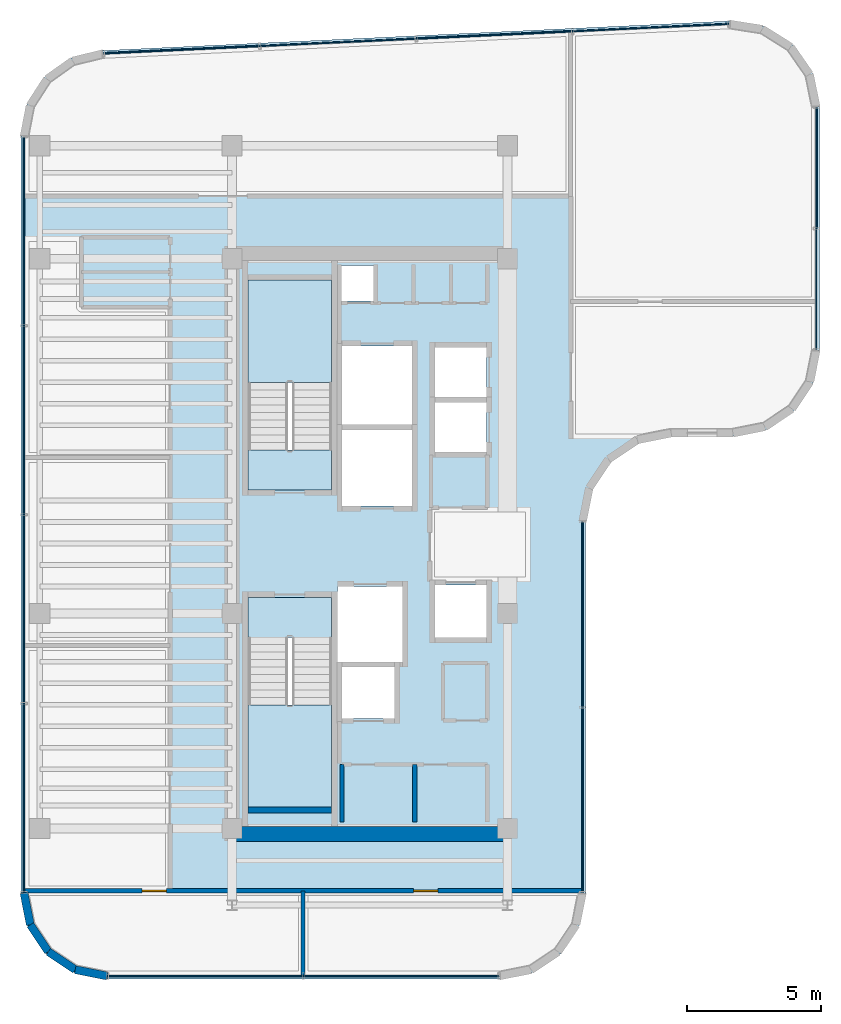
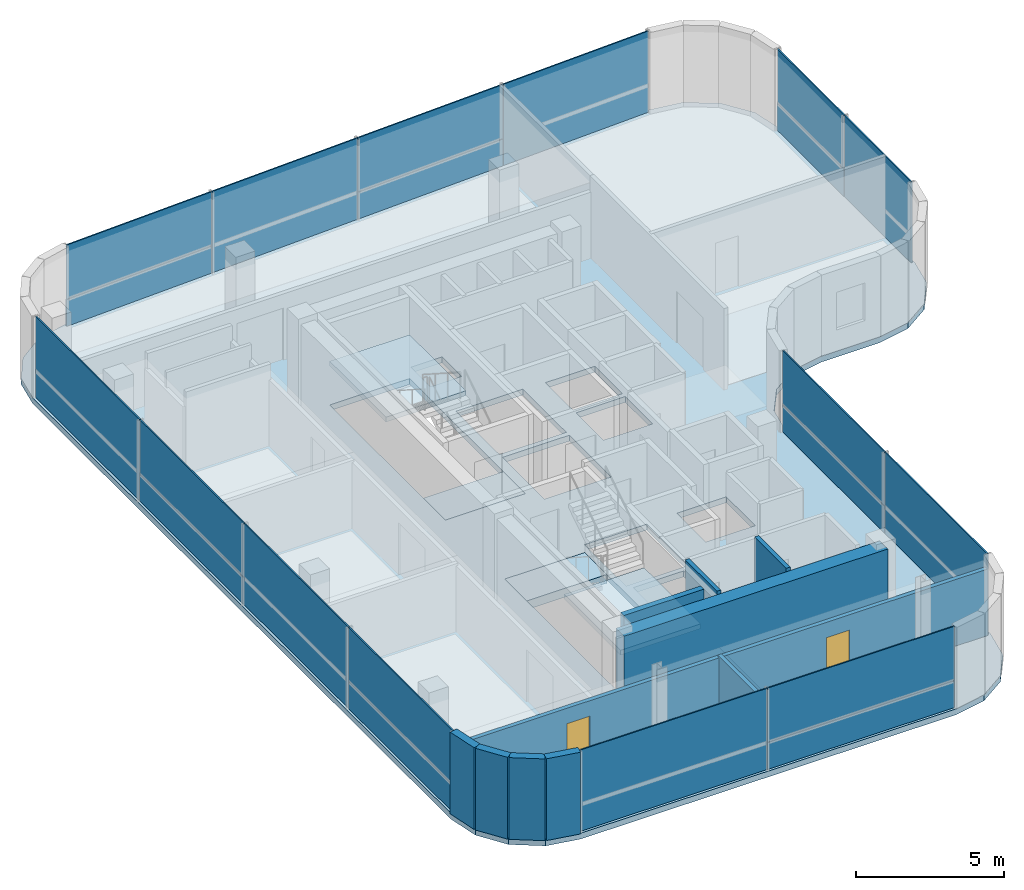
# One storey, part 12 of 17: 21 plates, 10 walls, 5 slabs, 2 doors, 2 openings, 7 elements without a shape of their own.
"""IFC4 building model written with IfcOpenShell, lengths in metres."""

from ifc_helpers import new_model, si_unit, direction, frame, frame_2d, origin, origin_2d, place, context, subcontext, project, spatial, polyline, rectangle, outline, extrude, source, transform, mapped, material, layer, layer_set, type_object, element, fill, aggregate, save


model = new_model("IFC4")

# Units and contexts
model_context = context("Model", 3, precision=1e-05, world=origin(), true_north=direction((0.0, 1.0)))
body_context = subcontext(model_context, "Body", "Model", "MODEL_VIEW")
ifc_project = project(units=[si_unit("LENGTHUNIT", "METRE"), si_unit("AREAUNIT", "SQUARE_METRE"), si_unit("VOLUMEUNIT", "CUBIC_METRE"), si_unit("PLANEANGLEUNIT", "RADIAN"), si_unit("MASSUNIT", "GRAM", prefix="KILO")], contexts=[model_context])

# Site, building, storey
site_placement = place(None, origin())
site = spatial("IfcSite", under=ifc_project, at=site_placement, CompositionType="ELEMENT")
building_placement = place(site_placement, origin())
building = spatial("IfcBuilding", under=site, at=building_placement, Name="Valdorenza Pilgrim Sanctuary Tower", CompositionType="ELEMENT")
storey_placement = place(building_placement, frame((0.0, 0.0, 287.0)))
storey = spatial("IfcBuildingStorey", under=building, at=storey_placement, Name="L75", CompositionType="ELEMENT", Elevation=287.0)

# Slab
ifc_material_1 = material(Name="Concrete C40/50", Category="concrete")
ifc_layer_1 = layer(ifc_material_1, 0.239990234375, Name="Concrete C40/50")
ifc_layer_set_1 = layer_set([ifc_layer_1], Name="Concrete C40/50")
slab_type_1 = type_object("IfcSlabType", Name="SLAB-FLR-220", PredefinedType="FLOOR", material=ifc_layer_set_1)
slab_1_placement = place(storey_placement, frame((0.0, 0.0, -0.239990234375)))
element("IfcSlab", 1, at=slab_1_placement, inside=storey, type_object=slab_type_1, Name="L75 Structural Floor Slab 1", PredefinedType="FLOOR", context=body_context, shape_type="SweptSolid", body=[
    extrude(outline(polyline([(-30.5, 15.147216796875), (-30.2705078125, 16.3369140625), (-29.615478515625, 17.356201171875), (-28.628173828125, 18.05859375), (-27.45068359375, 18.34375), (-4.150634765625, 19.442138671875), (-2.880615234375, 19.243408203125), (-1.791259765625, 18.56103515625), (-1.05810546875, 17.5048828125), (-0.800048828125, 16.24560546875), (-0.800048828125, 7.199951171875), (-1.043701171875, 5.975341796875), (-1.7373046875, 4.937255859375), (-2.775390625, 4.24365234375), (-4.0, 4.0), (-6.300048828125, 4.0), (-7.524658203125, 3.75634765625), (-8.562744140625, 3.062744140625), (-9.25634765625, 2.024658203125), (-9.5, 0.800048828125), (-9.5, -13.0), (-9.74365234375, -14.224609375), (-10.437255859375, -15.2626953125), (-11.475341796875, -15.956298828125), (-12.699951171875, -16.199951171875), (-27.300048828125, -16.199951171875), (-28.524658203125, -15.956298828125), (-29.562744140625, -15.2626953125), (-30.25634765625, -14.224609375), (-30.5, -13.0), (-30.5, 15.147216796875)]), holes=[polyline([(-22.050048828125, -9.800048828125), (-18.93994140625, -9.800048828125), (-18.93994140625, -3.485107421875), (-18.93994140625, -2.0), (-22.050048828125, -2.0), (-22.050048828125, -3.485107421875), (-22.050048828125, -9.800048828125)]), polyline([(-16.60009765625, -6.5), (-16.60009765625, -4.60009765625), (-18.550048828125, -4.60009765625), (-18.550048828125, -6.5), (-16.60009765625, -6.5)]), polyline([(-22.050048828125, 2.0), (-18.93994140625, 2.0), (-18.93994140625, 3.485107421875), (-18.93994140625, 9.800048828125), (-22.050048828125, 9.800048828125), (-22.050048828125, 3.485107421875), (-22.050048828125, 2.0)]), polyline([(-17.360107421875, 9.030029296875), (-17.360107421875, 10.35009765625), (-18.570068359375, 10.35009765625), (-18.570068359375, 9.030029296875), (-17.360107421875, 9.030029296875)]), polyline([(-16.300048828125, -1.60009765625), (-18.719970703125, -1.60009765625), (-18.719970703125, -4.39990234375), (-16.300048828125, -4.39990234375), (-16.300048828125, -1.60009765625)]), polyline([(-13.179931640625, -3.5), (-13.179931640625, -1.550048828125), (-15.10009765625, -1.550048828125), (-15.10009765625, -3.5), (-13.179931640625, -3.5)]), polyline([(-15.949951171875, 1.39990234375), (-15.949951171875, 4.22509765625), (-18.550048828125, 4.22509765625), (-18.550048828125, 1.39990234375), (-15.949951171875, 1.39990234375)]), polyline([(-13.179931640625, 5.25), (-15.10009765625, 5.25), (-15.10009765625, 3.39990234375), (-13.179931640625, 3.39990234375), (-13.179931640625, 5.25)]), polyline([(-15.949951171875, 4.425048828125), (-15.949951171875, 7.35009765625), (-18.550048828125, 7.35009765625), (-18.550048828125, 4.425048828125), (-15.949951171875, 4.425048828125)]), polyline([(-13.179931640625, 5.449951171875), (-13.179931640625, 7.300048828125), (-15.10009765625, 7.300048828125), (-15.10009765625, 5.449951171875), (-13.179931640625, 5.449951171875)])]), origin(), (0.0, 0.0, 1.0), 0.239990234375),
])

# Stair, slab
stair_type = type_object("IfcStairType", Name="STR-DOG-CORE", PredefinedType="HALF_TURN_STAIR", material=ifc_material_1)
stair_1_placement = place(storey_placement, origin())
stair_1 = element("IfcStair", 2, at=stair_1_placement, inside=storey, type_object=stair_type, Name="L75 ST-A1", PredefinedType="HALF_TURN_STAIR")
ifc_layer_2 = layer(ifc_material_1, 0.199951171875, Name="Concrete C40/50")
ifc_layer_set_2 = layer_set([ifc_layer_2], Name="Concrete C40/50")
slab_type_2 = type_object("IfcSlabType", Name="SLAB-STL-200", PredefinedType="LANDING", material=ifc_layer_set_2)
slab_2_placement = place(storey_placement, frame((0.0, 0.0, 1.60009765625)))
slab_2 = element("IfcSlab", 3, at=slab_2_placement, type_object=slab_type_2, Name="ST-A1 landing 1", PredefinedType="LANDING", context=body_context, shape_type="SweptSolid", body=[
    extrude(outline(polyline([(-18.93994140625, 6.0), (-18.93994140625, 9.800048828125), (-22.050048828125, 9.800048828125), (-22.050048828125, 6.0), (-18.93994140625, 6.0)])), origin(), (0.0, 0.0, 1.0), 0.199951171875),
])
aggregate(stair_1, [slab_2])

stair_2_placement = place(storey_placement, origin())
stair_2 = element("IfcStair", 4, at=stair_2_placement, inside=storey, type_object=stair_type, Name="L75 ST-A2", PredefinedType="HALF_TURN_STAIR")
slab_3_placement = place(storey_placement, frame((0.0, 0.0, 1.60009765625)))
slab_3 = element("IfcSlab", 5, at=slab_3_placement, type_object=slab_type_2, Name="ST-A2 landing 1", PredefinedType="LANDING", context=body_context, shape_type="SweptSolid", body=[
    extrude(outline(polyline([(-22.050048828125, -6.0), (-22.050048828125, -9.800048828125), (-18.93994140625, -9.800048828125), (-18.93994140625, -6.0), (-22.050048828125, -6.0)])), origin(), (0.0, 0.0, 1.0), 0.199951171875),
])
aggregate(stair_2, [slab_3])

# Slabs
ifc_material_2 = material(Name="Concrete C50/60", Category="concrete")
ifc_layer_3 = layer(ifc_material_2, 0.39990234375, Name="Concrete C50/60")
ifc_layer_set_3 = layer_set([ifc_layer_3], Name="Concrete C50/60")
slab_type_3 = type_object("IfcSlabType", Name="SLAB-TRF-400", PredefinedType="FLOOR", material=ifc_layer_set_3)
slab_4_placement = place(storey_placement, frame((0.0, 0.0, -0.360107421875)))
element("IfcSlab", 6, at=slab_4_placement, inside=storey, type_object=slab_type_3, Name="L75 ST-A1 Structural Stair Landing Bearing Slab", PredefinedType="FLOOR", context=body_context, shape_type="SweptSolid", body=[
    extrude(outline(polyline([(-22.050048828125, 2.0), (-18.93994140625, 2.0), (-18.93994140625, 3.485107421875), (-22.050048828125, 3.485107421875), (-22.050048828125, 2.0)])), origin(), (0.0, 0.0, 1.0), 0.360107421875),
])
slab_5_placement = place(storey_placement, frame((0.0, 0.0, -0.360107421875)))
element("IfcSlab", 7, at=slab_5_placement, inside=storey, type_object=slab_type_3, Name="L75 ST-A2 Structural Stair Landing Bearing Slab", PredefinedType="FLOOR", context=body_context, shape_type="SweptSolid", body=[
    extrude(outline(polyline([(-22.050048828125, -3.485107421875), (-18.93994140625, -3.485107421875), (-18.93994140625, -2.0), (-22.050048828125, -2.0), (-22.050048828125, -3.485107421875)])), origin(), (0.0, 0.0, 1.0), 0.360107421875),
])

# Curtain wall, plates
ifc_material_3 = material(Name="Curtain-wall IGU glazing", Category="glass")
curtain_wall_type = type_object("IfcCurtainWallType", Name="CW-SYS-04", PredefinedType="NOTDEFINED", material=ifc_material_3)
curtain_wall_1_placement = place(storey_placement, origin())
curtain_wall_1 = element("IfcCurtainWall", 8, at=curtain_wall_1_placement, inside=storey, type_object=curtain_wall_type, Name="L75 Curtain Wall CW-L75-1-6", PredefinedType="NOTDEFINED")
ifc_material_4 = material(Name="Honed travertine limestone", Category="masonry")
ifc_layer_4 = layer(ifc_material_4, 0.050048828125, Name="Honed travertine limestone")
ifc_layer_set_4 = layer_set([ifc_layer_4], Name="Honed travertine limestone")
plate_type_1 = type_object("IfcPlateType", Name="CW-SPN-TRV", PredefinedType="USERDEFINED", material=ifc_layer_set_4)
shared_shape_1 = source(origin(), body_context, "Body", "SweptSolid", [
    extrude(rectangle(XDim=5.805908203125, YDim=0.06005859375, at=origin_2d()), origin(), (0.0, 0.0, 1.0), 1.10009765625),
])
plate_1_placement = place(storey_placement, frame((-24.525146484375, 18.37158203125, 0.010009765625), z_axis=(0.0, 0.0, 1.0), x_axis=(0.998890696972, 0.047089016785, 0.0)))
plate_1 = element("IfcPlate", 9, at=plate_1_placement, type_object=plate_type_1, Name="CW-L75-1-6 Travertine Spandrel 1", ObjectType="SPANDREL", PredefinedType="USERDEFINED", context=body_context, shape_type="MappedRepresentation", body=[
    mapped(shared_shape_1, transform((0.0, 0.0, 0.0), x_axis=(1.0, 0.0, 0.0), y_axis=(0.0, 1.0, 0.0), z_axis=(0.0, 0.0, 1.0), scale=1.0)),
])
plate_2_placement = place(storey_placement, frame((-12.885986328125, 18.920166015625, 0.010009765625), z_axis=(0.0, 0.0, 1.0), x_axis=(0.998890696972, 0.047089016785, 0.0)))
plate_2 = element("IfcPlate", 10, at=plate_2_placement, type_object=plate_type_1, Name="CW-L75-1-6 Travertine Spandrel 3", ObjectType="SPANDREL", PredefinedType="USERDEFINED", context=body_context, shape_type="MappedRepresentation", body=[
    mapped(shared_shape_1, transform((0.0, 0.0, 0.0), x_axis=(1.0, 0.0, 0.0), y_axis=(0.0, 1.0, 0.0), z_axis=(0.0, 0.0, 1.0), scale=1.0)),
])

# Curtain wall, plate
curtain_wall_2_placement = place(storey_placement, origin())
curtain_wall_2 = element("IfcCurtainWall", 11, at=curtain_wall_2_placement, inside=storey, type_object=curtain_wall_type, Name="L75 Curtain Wall CW-L75-1-11", PredefinedType="NOTDEFINED")
shared_shape_2 = source(origin(), body_context, "Body", "SweptSolid", [
    extrude(rectangle(XDim=4.49169921875, YDim=0.06005859375, at=origin_2d()), origin(), (0.0, 0.0, 1.0), 1.10009765625),
])
plate_3_placement = place(storey_placement, frame((-0.909912109375, 13.978515625, 0.010009765625), z_axis=(0.0, 0.0, 1.0), x_axis=(0.0, -1.0, 0.0)))
plate_3 = element("IfcPlate", 12, at=plate_3_placement, type_object=plate_type_1, Name="CW-L75-1-11 Travertine Spandrel 1", ObjectType="SPANDREL", PredefinedType="USERDEFINED", context=body_context, shape_type="MappedRepresentation", body=[
    mapped(shared_shape_2, transform((0.0, 0.0, 0.0), x_axis=(1.0, 0.0, 0.0), y_axis=(0.0, 1.0, 0.0), z_axis=(0.0, 0.0, 1.0), scale=1.0)),
])

curtain_wall_3_placement = place(storey_placement, origin())
curtain_wall_3 = element("IfcCurtainWall", 13, at=curtain_wall_3_placement, inside=storey, type_object=curtain_wall_type, Name="L75 Curtain Wall CW-L75-1-21", PredefinedType="NOTDEFINED")
shared_shape_3 = source(origin(), body_context, "Body", "SweptSolid", [
    extrude(rectangle(XDim=6.8798828125, YDim=0.06005859375, at=origin_2d()), origin(), (0.0, 0.0, 1.0), 1.10009765625),
])
plate_4_placement = place(storey_placement, frame((-9.610107421875, -2.63916015625, 0.010009765625), z_axis=(0.0, 0.0, 1.0), x_axis=(0.0, -1.0, 0.0)))
plate_4 = element("IfcPlate", 14, at=plate_4_placement, type_object=plate_type_1, Name="CW-L75-1-21 Travertine Spandrel 1", ObjectType="SPANDREL", PredefinedType="USERDEFINED", context=body_context, shape_type="MappedRepresentation", body=[
    mapped(shared_shape_3, transform((0.0, 0.0, 0.0), x_axis=(1.0, 0.0, 0.0), y_axis=(0.0, 1.0, 0.0), z_axis=(0.0, 0.0, 1.0), scale=1.0)),
])

curtain_wall_4_placement = place(storey_placement, origin())
curtain_wall_4 = element("IfcCurtainWall", 15, at=curtain_wall_4_placement, inside=storey, type_object=curtain_wall_type, Name="L75 Curtain Wall CW-L75-1-26", PredefinedType="NOTDEFINED")
shared_shape_4 = source(origin(), body_context, "Body", "SweptSolid", [
    extrude(rectangle(XDim=7.269287109375, YDim=0.06005859375, at=origin_2d()), origin(), (0.0, 0.0, 1.0), 1.10009765625),
])
plate_5_placement = place(storey_placement, frame((-16.35546875, -16.090087890625, 0.010009765625), z_axis=(0.0, 0.0, 1.0), x_axis=(-1.0, 0.0, 0.0)))
plate_5 = element("IfcPlate", 16, at=plate_5_placement, type_object=plate_type_1, Name="CW-L75-1-26 Travertine Spandrel 1", ObjectType="SPANDREL", PredefinedType="USERDEFINED", context=body_context, shape_type="MappedRepresentation", body=[
    mapped(shared_shape_4, transform((0.0, 0.0, 0.0), x_axis=(1.0, 0.0, 0.0), y_axis=(0.0, 1.0, 0.0), z_axis=(0.0, 0.0, 1.0), scale=1.0)),
])

# Curtain wall, plates
curtain_wall_5_placement = place(storey_placement, origin())
curtain_wall_5 = element("IfcCurtainWall", 17, at=curtain_wall_5_placement, inside=storey, type_object=curtain_wall_type, Name="L75 Curtain Wall CW-L75-1-1", PredefinedType="NOTDEFINED")
shared_shape_5 = source(origin(), body_context, "Body", "SweptSolid", [
    extrude(rectangle(XDim=7.011474609375, YDim=0.06005859375, at=origin_2d()), origin(), (0.0, 0.0, 1.0), 1.10009765625),
])
plate_6_placement = place(storey_placement, frame((-30.389892578125, -9.473388671875, 0.010009765625), z_axis=(0.0, 0.0, 1.0), x_axis=(0.0, 1.0, 0.0)))
plate_6 = element("IfcPlate", 18, at=plate_6_placement, type_object=plate_type_1, Name="CW-L75-1-1 Travertine Spandrel 1", ObjectType="SPANDREL", PredefinedType="USERDEFINED", context=body_context, shape_type="MappedRepresentation", body=[
    mapped(shared_shape_5, transform((0.0, 0.0, 0.0), x_axis=(1.0, 0.0, 0.0), y_axis=(0.0, 1.0, 0.0), z_axis=(0.0, 0.0, 1.0), scale=1.0)),
])
plate_7_placement = place(storey_placement, frame((-30.389892578125, 4.589599609375, 0.010009765625), z_axis=(0.0, 0.0, 1.0), x_axis=(0.0, 1.0, 0.0)))
plate_7 = element("IfcPlate", 19, at=plate_7_placement, type_object=plate_type_1, Name="CW-L75-1-1 Travertine Spandrel 3", ObjectType="SPANDREL", PredefinedType="USERDEFINED", context=body_context, shape_type="MappedRepresentation", body=[
    mapped(shared_shape_5, transform((0.0, 0.0, 0.0), x_axis=(1.0, 0.0, 0.0), y_axis=(0.0, 1.0, 0.0), z_axis=(0.0, 0.0, 1.0), scale=1.0)),
])
ifc_material_5 = material(Name="Ceramic-fritted low-E IGU glazing", Category="glass")
ifc_layer_5 = layer(ifc_material_5, 0.035888671875, Name="Ceramic-fritted low-E IGU glazing")
ifc_layer_set_5 = layer_set([ifc_layer_5], Name="Ceramic-fritted low-E IGU glazing")
plate_type_2 = type_object("IfcPlateType", Name="CW-GLZ-IGU", PredefinedType="USERDEFINED", material=ifc_layer_set_5)
shared_shape_6 = source(origin(), body_context, "Body", "SweptSolid", [
    extrude(rectangle(XDim=7.011474609375, YDim=0.050048828125, at=origin_2d()), origin(), (0.0, 0.0, 1.0), 2.219970703125),
])
plate_8_placement = place(storey_placement, frame((-30.389892578125, -9.473388671875, 1.1298828125), z_axis=(0.0, 0.0, 1.0), x_axis=(0.0, 1.0, 0.0)))
plate_8 = element("IfcPlate", 20, at=plate_8_placement, type_object=plate_type_2, Name="CW-L75-1-1 Facade Panel 1", ObjectType="GLAZING", PredefinedType="USERDEFINED", context=body_context, shape_type="MappedRepresentation", body=[
    mapped(shared_shape_6, transform((0.0, 0.0, 0.0), x_axis=(1.0, 0.0, 0.0), y_axis=(0.0, 1.0, 0.0), z_axis=(0.0, 0.0, 1.0), scale=1.0)),
])
plate_9_placement = place(storey_placement, frame((-30.389892578125, 4.589599609375, 1.1298828125), z_axis=(0.0, 0.0, 1.0), x_axis=(0.0, 1.0, 0.0)))
plate_9 = element("IfcPlate", 21, at=plate_9_placement, type_object=plate_type_2, Name="CW-L75-1-1 Facade Panel 3", ObjectType="GLAZING", PredefinedType="USERDEFINED", context=body_context, shape_type="MappedRepresentation", body=[
    mapped(shared_shape_6, transform((0.0, 0.0, 0.0), x_axis=(1.0, 0.0, 0.0), y_axis=(0.0, 1.0, 0.0), z_axis=(0.0, 0.0, 1.0), scale=1.0)),
])
shared_shape_7 = source(origin(), body_context, "Body", "SweptSolid", [
    extrude(rectangle(XDim=7.011474609375, YDim=0.050048828125, at=origin_2d()), origin(), (0.0, 0.0, 1.0), 3.340087890625),
])
plate_10_placement = place(storey_placement, frame((-30.389892578125, -2.44189453125, 0.009765625), z_axis=(0.0, 0.0, 1.0), x_axis=(0.0, 1.0, 0.0)))
plate_10 = element("IfcPlate", 22, at=plate_10_placement, type_object=plate_type_2, Name="CW-L75-1-1 Full-Height Facade Panel 2", ObjectType="GLAZING", PredefinedType="USERDEFINED", context=body_context, shape_type="MappedRepresentation", body=[
    mapped(shared_shape_7, transform((0.0, 0.0, 0.0), x_axis=(1.0, 0.0, 0.0), y_axis=(0.0, 1.0, 0.0), z_axis=(0.0, 0.0, 1.0), scale=1.0)),
])
plate_11_placement = place(storey_placement, frame((-30.389892578125, 11.62109375, 0.009765625), z_axis=(0.0, 0.0, 1.0), x_axis=(0.0, 1.0, 0.0)))
plate_11 = element("IfcPlate", 23, at=plate_11_placement, type_object=plate_type_2, Name="CW-L75-1-1 Full-Height Facade Panel 4", ObjectType="GLAZING", PredefinedType="USERDEFINED", context=body_context, shape_type="MappedRepresentation", body=[
    mapped(shared_shape_7, transform((0.0, 0.0, 0.0), x_axis=(1.0, 0.0, 0.0), y_axis=(0.0, 1.0, 0.0), z_axis=(0.0, 0.0, 1.0), scale=1.0)),
])
aggregate(curtain_wall_5, [plate_6, plate_8, plate_10, plate_7, plate_9, plate_11])

# Plate
shared_shape_8 = source(origin(), body_context, "Body", "SweptSolid", [
    extrude(rectangle(XDim=5.805908203125, YDim=0.050048828125, at=origin_2d()), origin(), (0.0, 0.0, 1.0), 2.219970703125),
])
plate_12_placement = place(storey_placement, frame((-24.525146484375, 18.37158203125, 1.1298828125), z_axis=(0.0, 0.0, 1.0), x_axis=(0.998890696972, 0.047089016785, 0.0)))
plate_12 = element("IfcPlate", 24, at=plate_12_placement, type_object=plate_type_2, Name="CW-L75-1-6 Facade Panel 1", ObjectType="GLAZING", PredefinedType="USERDEFINED", context=body_context, shape_type="MappedRepresentation", body=[
    mapped(shared_shape_8, transform((0.0, 0.0, 0.0), x_axis=(1.0, 0.0, 0.0), y_axis=(0.0, 1.0, 0.0), z_axis=(0.0, 0.0, 1.0), scale=1.0)),
])

plate_13_placement = place(storey_placement, frame((-12.885986328125, 18.920166015625, 1.1298828125), z_axis=(0.0, 0.0, 1.0), x_axis=(0.998890696972, 0.047089016785, 0.0)))
plate_13 = element("IfcPlate", 25, at=plate_13_placement, type_object=plate_type_2, Name="CW-L75-1-6 Facade Panel 3", ObjectType="GLAZING", PredefinedType="USERDEFINED", context=body_context, shape_type="MappedRepresentation", body=[
    mapped(shared_shape_8, transform((0.0, 0.0, 0.0), x_axis=(1.0, 0.0, 0.0), y_axis=(0.0, 1.0, 0.0), z_axis=(0.0, 0.0, 1.0), scale=1.0)),
])

shared_shape_9 = source(origin(), body_context, "Body", "SweptSolid", [
    extrude(rectangle(XDim=5.805908203125, YDim=0.050048828125, at=origin_2d()), origin(), (0.0, 0.0, 1.0), 3.340087890625),
])
plate_14_placement = place(storey_placement, frame((-18.70556640625, 18.645751953125, 0.009765625), z_axis=(0.0, 0.0, 1.0), x_axis=(0.998890696972, 0.047089016785, 0.0)))
plate_14 = element("IfcPlate", 26, at=plate_14_placement, type_object=plate_type_2, Name="CW-L75-1-6 Full-Height Facade Panel 2", ObjectType="GLAZING", PredefinedType="USERDEFINED", context=body_context, shape_type="MappedRepresentation", body=[
    mapped(shared_shape_9, transform((0.0, 0.0, 0.0), x_axis=(1.0, 0.0, 0.0), y_axis=(0.0, 1.0, 0.0), z_axis=(0.0, 0.0, 1.0), scale=1.0)),
])

plate_15_placement = place(storey_placement, frame((-7.06640625, 19.194580078125, 0.009765625), z_axis=(0.0, 0.0, 1.0), x_axis=(0.998890696972, 0.047089016785, 0.0)))
plate_15 = element("IfcPlate", 27, at=plate_15_placement, type_object=plate_type_2, Name="CW-L75-1-6 Full-Height Facade Panel 4", ObjectType="GLAZING", PredefinedType="USERDEFINED", context=body_context, shape_type="MappedRepresentation", body=[
    mapped(shared_shape_9, transform((0.0, 0.0, 0.0), x_axis=(1.0, 0.0, 0.0), y_axis=(0.0, 1.0, 0.0), z_axis=(0.0, 0.0, 1.0), scale=1.0)),
])

aggregate(curtain_wall_1, [plate_1, plate_12, plate_14, plate_2, plate_13, plate_15])

shared_shape_10 = source(origin(), body_context, "Body", "SweptSolid", [
    extrude(rectangle(XDim=4.49169921875, YDim=0.050048828125, at=origin_2d()), origin(), (0.0, 0.0, 1.0), 2.219970703125),
])
plate_16_placement = place(storey_placement, frame((-0.909912109375, 13.978515625, 1.1298828125), z_axis=(0.0, 0.0, 1.0), x_axis=(0.0, -1.0, 0.0)))
plate_16 = element("IfcPlate", 28, at=plate_16_placement, type_object=plate_type_2, Name="CW-L75-1-11 Facade Panel 1", ObjectType="GLAZING", PredefinedType="USERDEFINED", context=body_context, shape_type="MappedRepresentation", body=[
    mapped(shared_shape_10, transform((0.0, 0.0, 0.0), x_axis=(1.0, 0.0, 0.0), y_axis=(0.0, 1.0, 0.0), z_axis=(0.0, 0.0, 1.0), scale=1.0)),
])

shared_shape_11 = source(origin(), body_context, "Body", "SweptSolid", [
    extrude(rectangle(XDim=4.49169921875, YDim=0.050048828125, at=origin_2d()), origin(), (0.0, 0.0, 1.0), 3.340087890625),
])
plate_17_placement = place(storey_placement, frame((-0.909912109375, 9.466796875, 0.009765625), z_axis=(0.0, 0.0, 1.0), x_axis=(0.0, -1.0, 0.0)))
plate_17 = element("IfcPlate", 29, at=plate_17_placement, type_object=plate_type_2, Name="CW-L75-1-11 Full-Height Facade Panel 2", ObjectType="GLAZING", PredefinedType="USERDEFINED", context=body_context, shape_type="MappedRepresentation", body=[
    mapped(shared_shape_11, transform((0.0, 0.0, 0.0), x_axis=(1.0, 0.0, 0.0), y_axis=(0.0, 1.0, 0.0), z_axis=(0.0, 0.0, 1.0), scale=1.0)),
])

aggregate(curtain_wall_2, [plate_3, plate_16, plate_17])

shared_shape_12 = source(origin(), body_context, "Body", "SweptSolid", [
    extrude(rectangle(XDim=6.8798828125, YDim=0.050048828125, at=origin_2d()), origin(), (0.0, 0.0, 1.0), 2.219970703125),
])
plate_18_placement = place(storey_placement, frame((-9.610107421875, -2.63916015625, 1.1298828125), z_axis=(0.0, 0.0, 1.0), x_axis=(0.0, -1.0, 0.0)))
plate_18 = element("IfcPlate", 30, at=plate_18_placement, type_object=plate_type_2, Name="CW-L75-1-21 Facade Panel 1", ObjectType="GLAZING", PredefinedType="USERDEFINED", context=body_context, shape_type="MappedRepresentation", body=[
    mapped(shared_shape_12, transform((0.0, 0.0, 0.0), x_axis=(1.0, 0.0, 0.0), y_axis=(0.0, 1.0, 0.0), z_axis=(0.0, 0.0, 1.0), scale=1.0)),
])

shared_shape_13 = source(origin(), body_context, "Body", "SweptSolid", [
    extrude(rectangle(XDim=6.8798828125, YDim=0.050048828125, at=origin_2d()), origin(), (0.0, 0.0, 1.0), 3.340087890625),
])
plate_19_placement = place(storey_placement, frame((-9.610107421875, -9.539306640625, 0.009765625), z_axis=(0.0, 0.0, 1.0), x_axis=(0.0, -1.0, 0.0)))
plate_19 = element("IfcPlate", 31, at=plate_19_placement, type_object=plate_type_2, Name="CW-L75-1-21 Full-Height Facade Panel 2", ObjectType="GLAZING", PredefinedType="USERDEFINED", context=body_context, shape_type="MappedRepresentation", body=[
    mapped(shared_shape_13, transform((0.0, 0.0, 0.0), x_axis=(1.0, 0.0, 0.0), y_axis=(0.0, 1.0, 0.0), z_axis=(0.0, 0.0, 1.0), scale=1.0)),
])

aggregate(curtain_wall_3, [plate_4, plate_18, plate_19])

shared_shape_14 = source(origin(), body_context, "Body", "SweptSolid", [
    extrude(rectangle(XDim=7.269287109375, YDim=0.050048828125, at=origin_2d()), origin(), (0.0, 0.0, 1.0), 2.219970703125),
])
plate_20_placement = place(storey_placement, frame((-16.35546875, -16.090087890625, 1.1298828125), z_axis=(0.0, 0.0, 1.0), x_axis=(-1.0, 0.0, 0.0)))
plate_20 = element("IfcPlate", 32, at=plate_20_placement, type_object=plate_type_2, Name="CW-L75-1-26 Facade Panel 1", ObjectType="GLAZING", PredefinedType="USERDEFINED", context=body_context, shape_type="MappedRepresentation", body=[
    mapped(shared_shape_14, transform((0.0, 0.0, 0.0), x_axis=(1.0, 0.0, 0.0), y_axis=(0.0, 1.0, 0.0), z_axis=(0.0, 0.0, 1.0), scale=1.0)),
])

shared_shape_15 = source(origin(), body_context, "Body", "SweptSolid", [
    extrude(rectangle(XDim=7.269287109375, YDim=0.050048828125, at=origin_2d()), origin(), (0.0, 0.0, 1.0), 3.340087890625),
])
plate_21_placement = place(storey_placement, frame((-23.64453125, -16.090087890625, 0.009765625), z_axis=(0.0, 0.0, 1.0), x_axis=(-1.0, 0.0, 0.0)))
plate_21 = element("IfcPlate", 33, at=plate_21_placement, type_object=plate_type_2, Name="CW-L75-1-26 Full-Height Facade Panel 2", ObjectType="GLAZING", PredefinedType="USERDEFINED", context=body_context, shape_type="MappedRepresentation", body=[
    mapped(shared_shape_15, transform((0.0, 0.0, 0.0), x_axis=(1.0, 0.0, 0.0), y_axis=(0.0, 1.0, 0.0), z_axis=(0.0, 0.0, 1.0), scale=1.0)),
])

aggregate(curtain_wall_4, [plate_5, plate_20, plate_21])

# Wall
ifc_material_6 = material(Name="Acoustic twin-stud gypsum partition", Category="gypsum")
ifc_layer_6 = layer(ifc_material_6, 0.159912109375, Name="Acoustic twin-stud gypsum partition")
ifc_layer_set_6 = layer_set([ifc_layer_6], Name="Acoustic twin-stud gypsum partition")
wall_type_1 = type_object("IfcWallType", Name="WAL-COR-160", PredefinedType="PARTITIONING", material=ifc_layer_set_6)
wall_1_placement = place(storey_placement, frame((-15.85009765625, -10.35009765625, 0.0), z_axis=(0.0, 0.0, 1.0), x_axis=(0.0, 1.0, 0.0)))
element("IfcWall", 34, at=wall_1_placement, inside=storey, type_object=wall_type_1, Name="L75 Freed Shaft 1 Split Wall", PredefinedType="PARTITIONING", context=body_context, shape_type="SweptSolid", body=[
    extrude(rectangle(XDim=2.130126953125, YDim=0.159912109375, at=frame_2d((1.06494140625, 0.0))), origin(), (0.0, 0.0, 1.0), 3.360107421875),
])

# Wall, openings, doors
wall_2_placement = place(storey_placement, frame((-30.389892578125, -12.919921875, 0.0), z_axis=(0.0, 0.0, 1.0), x_axis=(1.0, 0.0, 0.0)))
wall_2 = element("IfcWall", 35, at=wall_2_placement, inside=storey, type_object=wall_type_1, Name="L75 Sky South Salon Wall", PredefinedType="PARTITIONING", context=body_context, shape_type="SweptSolid", body=[
    extrude(rectangle(XDim=20.77978515625, YDim=0.159912109375, at=frame_2d((10.389892578125, 0.0))), origin(), (0.0, 0.0, 1.0), 2.73388671875),
])
opening_1_placement = place(wall_2_placement, frame((4.39990234375, 0.0, 0.0)))
opening_1 = element("IfcOpeningElement", 36, at=opening_1_placement, cuts=wall_2, Name="Opening DR-RM1", PredefinedType="OPENING", context=body_context, shape_type="SweptSolid", body=[
    extrude(rectangle(XDim=0.89990234375, YDim=2.10009765625, at=frame_2d((0.449951171875, 1.050048828125))), frame((0.0, 0.0947265625, 0.0), z_axis=(0.0, -1.0, 0.0), x_axis=(1.0, 0.0, 0.0)), (0.0, 0.0, 1.0), 0.189697265625),
])
opening_2_placement = place(wall_2_placement, frame((14.5, 0.0, 0.0)))
opening_2 = element("IfcOpeningElement", 37, at=opening_2_placement, cuts=wall_2, Name="Opening DR-RM1", PredefinedType="OPENING", context=body_context, shape_type="SweptSolid", body=[
    extrude(rectangle(XDim=0.89990234375, YDim=2.10009765625, at=frame_2d((0.449951171875, 1.050048828125))), frame((0.0, 0.0947265625, 0.0), z_axis=(0.0, -1.0, 0.0), x_axis=(1.0, 0.0, 0.0)), (0.0, 0.0, 1.0), 0.189697265625),
])
ifc_material_7 = material(Name="Solid-core European oak timber", Category="wood")
door_type = type_object("IfcDoorType", Name="DR-ROOM-900", OperationType="NOTDEFINED", PredefinedType="DOOR", material=ifc_material_7)
door_1_placement = place(opening_1_placement, frame((0.89990234375, 0.0, 0.0), z_axis=(0.0, 0.0, 1.0), x_axis=(-1.0, 0.0, 0.0)))
door_1 = element("IfcDoor", 38, at=door_1_placement, inside=storey, type_object=door_type, Name="L75 South West Viewing Salon Door", OperationType="SINGLE_SWING_LEFT", OverallHeight=2.10009765625, OverallWidth=0.89990234375, PredefinedType="DOOR", context=body_context, shape_type="SweptSolid", body=[
    extrude(rectangle(XDim=0.89990234375, YDim=2.10009765625, at=frame_2d((0.449951171875, 1.050048828125))), frame((0.0, 0.02490234375, 0.0), z_axis=(0.0, -1.0, 0.0), x_axis=(1.0, 0.0, 0.0)), (0.0, 0.0, 1.0), 0.050048828125),
])
fill(opening_1, door_1)
door_2_placement = place(opening_2_placement, origin())
door_2 = element("IfcDoor", 39, at=door_2_placement, inside=storey, type_object=door_type, Name="L75 South East Reading Lounge Door", OperationType="SINGLE_SWING_RIGHT", OverallHeight=2.10009765625, OverallWidth=0.89990234375, PredefinedType="DOOR", context=body_context, shape_type="SweptSolid", body=[
    extrude(rectangle(XDim=0.89990234375, YDim=2.10009765625, at=frame_2d((0.449951171875, 1.050048828125))), frame((0.0, 0.02490234375, 0.0), z_axis=(0.0, -1.0, 0.0), x_axis=(1.0, 0.0, 0.0)), (0.0, 0.0, 1.0), 0.050048828125),
])
fill(opening_2, door_2)

# Walls
ifc_layer_7 = layer(ifc_material_2, 0.550048828125, Name="Concrete C50/60")
ifc_layer_set_7 = layer_set([ifc_layer_7], Name="Concrete C50/60")
wall_type_2 = type_object("IfcWallType", Name="WAL-COR-550", PredefinedType="SHEAR", material=ifc_layer_set_7)
wall_3_placement = place(storey_placement, frame((-22.64990234375, -10.800048828125, 0.0), z_axis=(0.0, 0.0, 1.0), x_axis=(1.0, 0.0, 0.0)))
element("IfcWall", 40, at=wall_3_placement, inside=storey, type_object=wall_type_2, Name="L75 Split Core A Shear Wall S", PredefinedType="SHEAR", context=body_context, shape_type="SweptSolid", body=[
    extrude(rectangle(XDim=10.25, YDim=0.550048828125, at=frame_2d((5.125, 0.0))), origin(), (0.0, 0.0, 1.0), 3.360107421875),
])
ifc_layer_8 = layer(ifc_material_4, 0.300048828125, Name="Honed travertine limestone")
ifc_layer_set_8 = layer_set([ifc_layer_8], Name="Honed travertine limestone")
wall_type_3 = type_object("IfcWallType", Name="WAL-EXT-300", PredefinedType="SOLIDWALL", material=ifc_layer_set_8)
wall_4_placement = place(storey_placement, frame((-27.289306640625, -16.090087890625, 0.0), z_axis=(0.0, 0.0, 1.0), x_axis=(-0.980765602568, 0.195189223115, 0.0)))
element("IfcWall", 41, at=wall_4_placement, inside=storey, type_object=wall_type_3, Name="L75 Rounded Wind-Corner Stone Pier 27", PredefinedType="SOLIDWALL", context=body_context, shape_type="SweptSolid", body=[
    extrude(rectangle(XDim=1.2158203125, YDim=0.300048828125, at=frame_2d((0.60791015625, 0.0))), origin(), (0.0, 0.0, 1.0), 3.360107421875),
])
for number, where, z_axis, x_axis, name in (
    (42, (-28.481689453125, -15.852783203125, 0.0), (0.0, 0.0, 1.0), (-0.831426265255, 0.555635100982, 0.0), "L75 Rounded Wind-Corner Stone Pier 28"),
    (43, (-29.4833984375, -15.183349609375, 0.0), (0.0, 0.0, 1.0), (-0.555635100982, 0.831426265255, 0.0), "L75 Rounded Wind-Corner Stone Pier 29"),
):
    element("IfcWall", number, at=place(storey_placement, frame(where, z_axis=z_axis, x_axis=x_axis)), inside=storey, type_object=wall_type_3, Name=name, PredefinedType="SOLIDWALL", context=body_context, shape_type="SweptSolid", body=[
        extrude(rectangle(XDim=1.204833984375, YDim=0.300048828125, at=frame_2d((0.6025390625, 0.0))), origin(), (0.0, 0.0, 1.0), 3.360107421875),
    ])
wall_5_placement = place(storey_placement, frame((-30.15283203125, -14.181640625, 0.0), z_axis=(0.0, 0.0, 1.0), x_axis=(-0.194996050505, 0.980804027463, 0.0)))
element("IfcWall", 44, at=wall_5_placement, inside=storey, type_object=wall_type_3, Name="L75 Rounded Wind-Corner Stone Pier 30", PredefinedType="SOLIDWALL", context=body_context, shape_type="SweptSolid", body=[
    extrude(rectangle(XDim=1.2158203125, YDim=0.300048828125, at=frame_2d((0.60791015625, 0.0))), origin(), (0.0, 0.0, 1.0), 3.360107421875),
])
ifc_layer_9 = layer(ifc_material_1, 0.219970703125, Name="Concrete C40/50")
ifc_layer_set_9 = layer_set([ifc_layer_9], Name="Concrete C40/50")
wall_type_4 = type_object("IfcWallType", Name="WAL-STR-SHF-220", PredefinedType="SHEAR", material=ifc_layer_set_9)
wall_6_placement = place(storey_placement, frame((-22.050048828125, -9.909912109375, 0.0), z_axis=(0.0, 0.0, 1.0), x_axis=(1.0, 0.0, 0.0)))
element("IfcWall", 45, at=wall_6_placement, inside=storey, type_object=wall_type_4, Name="L75 ST-A2 Structural Stairwell Wall S", PredefinedType="SHEAR", context=body_context, shape_type="SweptSolid", body=[
    extrude(rectangle(XDim=3.110107421875, YDim=0.219970703125, at=frame_2d((1.55517578125, 0.0))), origin(), (0.0, 0.0, 1.0), 3.360107421875),
])
ifc_layer_10 = layer(ifc_material_6, 0.14990234375, Name="Acoustic twin-stud gypsum partition")
ifc_layer_set_10 = layer_set([ifc_layer_10], Name="Acoustic twin-stud gypsum partition")
wall_type_5 = type_object("IfcWallType", Name="WAL-UNT-150", PredefinedType="PARTITIONING", material=ifc_layer_set_10)
wall_7_placement = place(storey_placement, frame((-18.550048828125, -10.35009765625, 0.0), z_axis=(0.0, 0.0, 1.0), x_axis=(0.0, 1.0, 0.0)))
element("IfcWall", 46, at=wall_7_placement, inside=storey, type_object=wall_type_5, Name="L75 Freed Shaft 1 West Wall", PredefinedType="PARTITIONING", context=body_context, shape_type="SweptSolid", body=[
    extrude(rectangle(XDim=2.130126953125, YDim=0.14990234375, at=frame_2d((1.06494140625, 0.0))), origin(), (0.0, 0.0, 1.0), 3.360107421875),
])
wall_8_placement = place(storey_placement, frame((-20.0, -16.090087890625, 0.0), z_axis=(0.0, 0.0, 1.0), x_axis=(0.0, 1.0, 0.0)))
element("IfcWall", 47, at=wall_8_placement, inside=storey, type_object=wall_type_5, Name="L75 Sky South Split Wall", PredefinedType="PARTITIONING", context=body_context, shape_type="SweptSolid", body=[
    extrude(rectangle(XDim=3.170166015625, YDim=0.14990234375, at=frame_2d((1.5849609375, 0.0))), origin(), (0.0, 0.0, 1.0), 2.805908203125),
])

save(model, "model.ifc")
